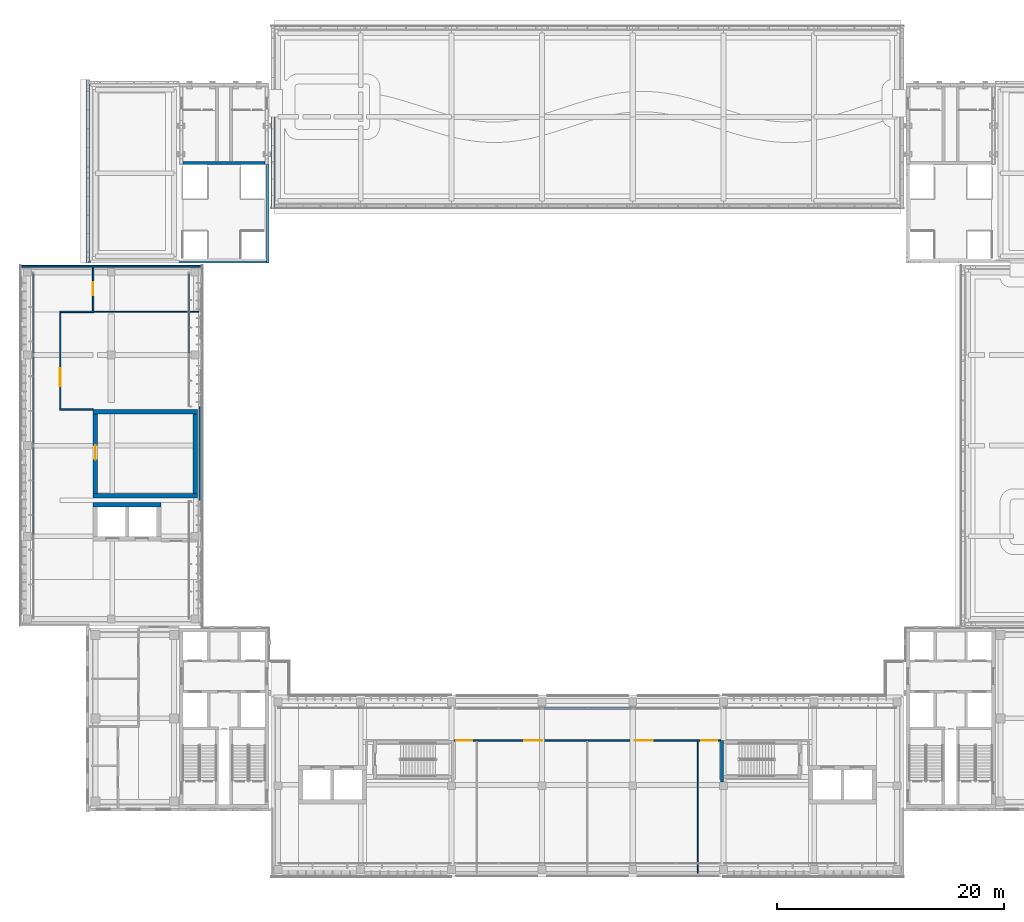
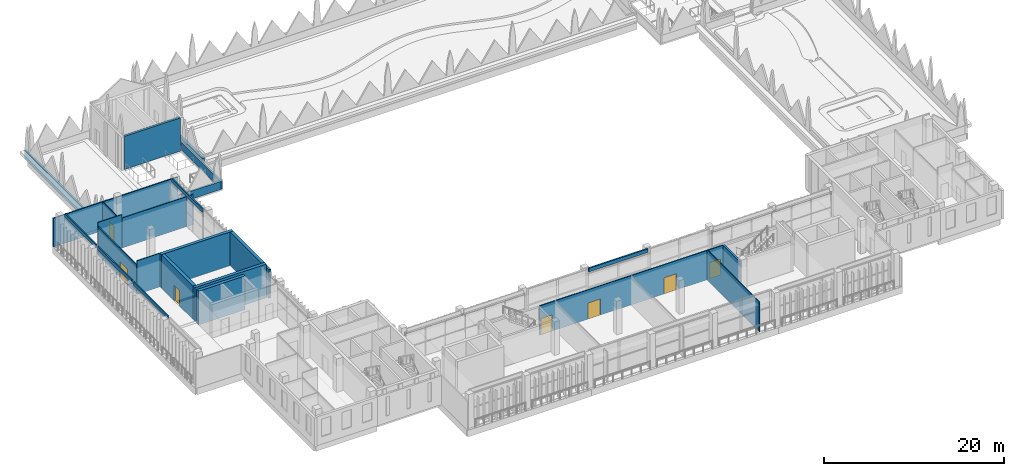
# One storey, part 24 of 46: 26 walls, 7 doors, 7 openings.
"""IFC4 building model written with IfcOpenShell, lengths in metres."""

from ifc_helpers import new_model, si_unit, direction, frame, frame_2d, origin, place, context, subcontext, project, spatial, rectangle, extrude, material, layer, layer_set, type_object, element, fill, save


model = new_model("IFC4")

# Units and contexts
model_context = context("Model", 3, precision=1e-05, world=origin(), true_north=direction((0.0, 1.0)))
body_context = subcontext(model_context, "Body", "Model", "MODEL_VIEW")
ifc_project = project(units=[si_unit("LENGTHUNIT", "METRE"), si_unit("AREAUNIT", "SQUARE_METRE"), si_unit("VOLUMEUNIT", "CUBIC_METRE"), si_unit("PLANEANGLEUNIT", "RADIAN"), si_unit("MASSUNIT", "GRAM", prefix="KILO")], contexts=[model_context])

# Site, building, storey
site_placement = place(None, origin())
site = spatial("IfcSite", under=ifc_project, at=site_placement, CompositionType="ELEMENT")
building_placement = place(site_placement, origin())
building = spatial("IfcBuilding", under=site, at=building_placement, Name="Lantern Court Media Centre", CompositionType="ELEMENT")
storey_placement = place(building_placement, frame((0.0, 0.0, 28.800048828125)))
storey = spatial("IfcBuildingStorey", under=building, at=storey_placement, Name="L06", CompositionType="ELEMENT", Elevation=28.800048828125)

# Wall, openings, doors
ifc_material_1 = material(Name="Gypsum board partition")
ifc_layer_1 = layer(ifc_material_1, 0.125)
ifc_layer_set_1 = layer_set([ifc_layer_1], Name="Gypsum board partition")
wall_type_1 = type_object("IfcWallType", Name="Corridor partition 125", PredefinedType="PARTITIONING", material=ifc_layer_set_1)
wall_1_placement = place(storey_placement, frame((40.25, 54.0, 0.0), z_axis=(0.0, 0.0, 1.0), x_axis=(1.0, 0.0, 0.0)))
wall_1 = element("IfcWall", 1, at=wall_1_placement, inside=storey, type_object=wall_type_1, Name="L06 partition 004", PredefinedType="PARTITIONING", context=body_context, shape_type="SweptSolid", body=[
    extrude(rectangle(XDim=23.5, YDim=0.125, at=frame_2d((11.75, 0.0))), origin(), (0.0, 0.0, 1.0), 3.97998046875),
])
opening_1_placement = place(wall_1_placement, frame((0.199951171875, 0.0, 0.0)))
opening_1 = element("IfcOpeningElement", 2, at=opening_1_placement, cuts=wall_1, Name="Opening L06-001", PredefinedType="OPENING", context=body_context, shape_type="SweptSolid", body=[
    extrude(rectangle(XDim=1.39990234375, YDim=2.199951171875, at=frame_2d((0.699951171875, 1.10009765625))), frame((0.0, 0.072509765625, 0.0), z_axis=(0.0, -1.0, 0.0), x_axis=(1.0, 0.0, 0.0)), (0.0, 0.0, 1.0), 0.14501953125),
])
opening_2_placement = place(wall_1_placement, frame((6.178955078125, 0.0, 0.0)))
opening_2 = element("IfcOpeningElement", 3, at=opening_2_placement, cuts=wall_1, Name="Opening L06-002", PredefinedType="OPENING", context=body_context, shape_type="SweptSolid", body=[
    extrude(rectangle(XDim=1.60009765625, YDim=2.199951171875, at=frame_2d((0.800048828125, 1.10009765625))), frame((0.0, 0.072509765625, 0.0), z_axis=(0.0, -1.0, 0.0), x_axis=(1.0, 0.0, 0.0)), (0.0, 0.0, 1.0), 0.14501953125),
])
opening_3_placement = place(wall_1_placement, frame((15.928955078125, 0.0, 0.0)))
opening_3 = element("IfcOpeningElement", 4, at=opening_3_placement, cuts=wall_1, Name="Opening L06-003", PredefinedType="OPENING", context=body_context, shape_type="SweptSolid", body=[
    extrude(rectangle(XDim=1.60009765625, YDim=2.199951171875, at=frame_2d((0.800048828125, 1.10009765625))), frame((0.0, 0.072509765625, 0.0), z_axis=(0.0, -1.0, 0.0), x_axis=(1.0, 0.0, 0.0)), (0.0, 0.0, 1.0), 0.14501953125),
])
opening_4_placement = place(wall_1_placement, frame((21.80908203125, 0.0, 0.0)))
opening_4 = element("IfcOpeningElement", 5, at=opening_4_placement, cuts=wall_1, Name="Opening L06-004", PredefinedType="OPENING", context=body_context, shape_type="SweptSolid", body=[
    extrude(rectangle(XDim=1.39990234375, YDim=2.199951171875, at=frame_2d((0.699951171875, 1.10009765625))), frame((0.0, 0.072509765625, 0.0), z_axis=(0.0, -1.0, 0.0), x_axis=(1.0, 0.0, 0.0)), (0.0, 0.0, 1.0), 0.14501953125),
])
ifc_material_2 = material(Name="Solid-core timber door leaf", Category="wood")
door_type_1 = type_object("IfcDoorType", Name="Double door 1400x2200", OperationType="NOTDEFINED", PredefinedType="DOOR", material=ifc_material_2)
door_1_placement = place(opening_1_placement, frame((1.39990234375, 0.0, 0.0), z_axis=(0.0, 0.0, 1.0), x_axis=(-1.0, 0.0, 0.0)))
door_1 = element("IfcDoor", 6, at=door_1_placement, inside=storey, type_object=door_type_1, Name="L06 Restaurant door", OperationType="DOUBLE_DOOR_SINGLE_SWING", OverallHeight=2.199951171875, OverallWidth=1.39990234375, PredefinedType="DOOR", context=body_context, shape_type="SweptSolid", body=[
    extrude(rectangle(XDim=1.39990234375, YDim=2.199951171875, at=frame_2d((0.699951171875, 1.10009765625))), frame((0.0, 0.02490234375, 0.0), z_axis=(0.0, -1.0, 0.0), x_axis=(1.0, 0.0, 0.0)), (0.0, 0.0, 1.0), 0.050048828125),
])
fill(opening_1, door_1)
door_2_placement = place(opening_4_placement, frame((1.39990234375, 0.0, 0.0), z_axis=(0.0, 0.0, 1.0), x_axis=(-1.0, 0.0, 0.0)))
door_2 = element("IfcDoor", 7, at=door_2_placement, inside=storey, type_object=door_type_1, Name="L06 Conservation Studio door", OperationType="DOUBLE_DOOR_SINGLE_SWING", OverallHeight=2.199951171875, OverallWidth=1.39990234375, PredefinedType="DOOR", context=body_context, shape_type="SweptSolid", body=[
    extrude(rectangle(XDim=1.39990234375, YDim=2.199951171875, at=frame_2d((0.699951171875, 1.10009765625))), frame((0.0, 0.02490234375, 0.0), z_axis=(0.0, -1.0, 0.0), x_axis=(1.0, 0.0, 0.0)), (0.0, 0.0, 1.0), 0.050048828125),
])
fill(opening_4, door_2)
door_type_2 = type_object("IfcDoorType", Name="Double door 1600x2200", OperationType="NOTDEFINED", PredefinedType="DOOR", material=ifc_material_2)
door_3_placement = place(opening_2_placement, origin())
door_3 = element("IfcDoor", 8, at=door_3_placement, inside=storey, type_object=door_type_2, Name="L06 Community Hall door", OperationType="DOUBLE_DOOR_SINGLE_SWING", OverallHeight=2.199951171875, OverallWidth=1.60009765625, PredefinedType="DOOR", context=body_context, shape_type="SweptSolid", body=[
    extrude(rectangle(XDim=1.60009765625, YDim=2.199951171875, at=frame_2d((0.800048828125, 1.10009765625))), frame((0.0, 0.02490234375, 0.0), z_axis=(0.0, -1.0, 0.0), x_axis=(1.0, 0.0, 0.0)), (0.0, 0.0, 1.0), 0.050048828125),
])
fill(opening_2, door_3)
door_4_placement = place(opening_3_placement, origin())
door_4 = element("IfcDoor", 9, at=door_4_placement, inside=storey, type_object=door_type_2, Name="L06 Library Administration Office door", OperationType="DOUBLE_DOOR_SINGLE_SWING", OverallHeight=2.199951171875, OverallWidth=1.60009765625, PredefinedType="DOOR", context=body_context, shape_type="SweptSolid", body=[
    extrude(rectangle(XDim=1.60009765625, YDim=2.199951171875, at=frame_2d((0.800048828125, 1.10009765625))), frame((0.0, 0.02490234375, 0.0), z_axis=(0.0, -1.0, 0.0), x_axis=(1.0, 0.0, 0.0)), (0.0, 0.0, 1.0), 0.050048828125),
])
fill(opening_3, door_4)

# Wall
wall_2_placement = place(storey_placement, frame((5.4375, 91.800048828125, 0.0), z_axis=(0.0, 0.0, 1.0), x_axis=(1.0, 0.0, 0.0)))
element("IfcWall", 10, at=wall_2_placement, inside=storey, type_object=wall_type_1, Name="L06 partition 009", PredefinedType="PARTITIONING", context=body_context, shape_type="SweptSolid", body=[
    extrude(rectangle(XDim=3.02490234375, YDim=0.125, at=frame_2d((1.512451171875, 0.0))), origin(), (0.0, 0.0, 1.0), 4.56005859375),
])

# Wall, opening, door
wall_3_placement = place(storey_placement, frame((8.39990234375, 91.862548828125, 0.0), z_axis=(0.0, 0.0, 1.0), x_axis=(0.0, 1.0, 0.0)))
wall_3 = element("IfcWall", 11, at=wall_3_placement, inside=storey, type_object=wall_type_1, Name="L06 partition 012", PredefinedType="PARTITIONING", context=body_context, shape_type="SweptSolid", body=[
    extrude(rectangle(XDim=3.892333984375, YDim=0.125, at=frame_2d((1.9462890625, 0.0))), origin(), (0.0, 0.0, 1.0), 3.8798828125),
])
opening_5_placement = place(wall_3_placement, frame((1.41259765625, 0.0, 0.0)))
opening_5 = element("IfcOpeningElement", 12, at=opening_5_placement, cuts=wall_3, Name="Opening L06-005", PredefinedType="OPENING", context=body_context, shape_type="SweptSolid", body=[
    extrude(rectangle(XDim=1.14990234375, YDim=2.10009765625, at=frame_2d((0.574951171875, 1.050048828125))), frame((0.0, 0.072509765625, 0.0), z_axis=(0.0, -1.0, 0.0), x_axis=(1.0, 0.0, 0.0)), (0.0, 0.0, 1.0), 0.14501953125),
])
door_type_3 = type_object("IfcDoorType", Name="Single door 1150x2100", OperationType="NOTDEFINED", PredefinedType="DOOR", material=ifc_material_2)
door_5_placement = place(opening_5_placement, frame((1.14990234375, 0.0, 0.0), z_axis=(0.0, 0.0, 1.0), x_axis=(-1.0, 0.0, 0.0)))
door_5 = element("IfcDoor", 13, at=door_5_placement, inside=storey, type_object=door_type_3, Name="L06 Cinema Club Bar door", OperationType="SINGLE_SWING_RIGHT", OverallHeight=2.10009765625, OverallWidth=1.14990234375, PredefinedType="DOOR", context=body_context, shape_type="SweptSolid", body=[
    extrude(rectangle(XDim=1.14990234375, YDim=2.10009765625, at=frame_2d((0.574951171875, 1.050048828125))), frame((0.0, 0.02490234375, 0.0), z_axis=(0.0, -1.0, 0.0), x_axis=(1.0, 0.0, 0.0)), (0.0, 0.0, 1.0), 0.050048828125),
])
fill(opening_5, door_5)

wall_4_placement = place(storey_placement, frame((5.5, 83.262451171875, 0.0), z_axis=(0.0, 0.0, 1.0), x_axis=(0.0, 1.0, 0.0)))
wall_4 = element("IfcWall", 14, at=wall_4_placement, inside=storey, type_object=wall_type_1, Name="L06 partition 015", PredefinedType="PARTITIONING", context=body_context, shape_type="SweptSolid", body=[
    extrude(rectangle(XDim=8.47509765625, YDim=0.125, at=frame_2d((4.237548828125, 0.0))), origin(), (0.0, 0.0, 1.0), 3.97998046875),
])
opening_6_placement = place(wall_4_placement, frame((1.987548828125, 0.0, 0.0)))
opening_6 = element("IfcOpeningElement", 15, at=opening_6_placement, cuts=wall_4, Name="Opening L06-008", PredefinedType="OPENING", context=body_context, shape_type="SweptSolid", body=[
    extrude(rectangle(XDim=1.60009765625, YDim=2.199951171875, at=frame_2d((0.800048828125, 1.10009765625))), frame((0.0, 0.072509765625, 0.0), z_axis=(0.0, -1.0, 0.0), x_axis=(1.0, 0.0, 0.0)), (0.0, 0.0, 1.0), 0.14501953125),
])
door_6_placement = place(opening_6_placement, origin())
door_6 = element("IfcDoor", 16, at=door_6_placement, inside=storey, type_object=door_type_2, Name="L06 Premiere Lounge door", OperationType="DOUBLE_DOOR_SINGLE_SWING", OverallHeight=2.199951171875, OverallWidth=1.60009765625, PredefinedType="DOOR", context=body_context, shape_type="SweptSolid", body=[
    extrude(rectangle(XDim=1.60009765625, YDim=2.199951171875, at=frame_2d((0.800048828125, 1.10009765625))), frame((0.0, 0.02490234375, 0.0), z_axis=(0.0, -1.0, 0.0), x_axis=(1.0, 0.0, 0.0)), (0.0, 0.0, 1.0), 0.050048828125),
])
fill(opening_6, door_6)

# Walls
wall_5_placement = place(storey_placement, frame((5.4375, 83.199951171875, 0.0), z_axis=(0.0, 0.0, 1.0), x_axis=(1.0, 0.0, 0.0)))
element("IfcWall", 17, at=wall_5_placement, inside=storey, type_object=wall_type_1, Name="L06 partition 016", PredefinedType="PARTITIONING", context=body_context, shape_type="SweptSolid", body=[
    extrude(rectangle(XDim=2.96240234375, YDim=0.125, at=frame_2d((1.481201171875, 0.0))), origin(), (0.0, 0.0, 1.0), 4.56005859375),
])
ifc_material_3 = material(Name="Insulated rendered blockwork", Category="masonry")
ifc_layer_2 = layer(ifc_material_3, 0.14990234375)
ifc_layer_set_2 = layer_set([ifc_layer_2], Name="Insulated rendered blockwork")
wall_type_2 = type_object("IfcWallType", Name="Head infill wall 150", PredefinedType="SOLIDWALL", material=ifc_layer_set_2)
for number, where, z_axis, x_axis, name in (
    (18, (3.14990234375, 72.199951171875, 4.099853515625), (0.0, 0.0, 1.0), (0.0, 1.0, 0.0), "Head infill wall W outer L06"),
    (19, (3.14990234375, 80.199951171875, 4.099853515625), (0.0, 0.0, 1.0), (0.0, 1.0, 0.0), "Head infill wall W outer L06"),
):
    element("IfcWall", number, at=place(storey_placement, frame(where, z_axis=z_axis, x_axis=x_axis)), inside=storey, type_object=wall_type_2, Name=name, PredefinedType="SOLIDWALL", context=body_context, shape_type="SweptSolid", body=[
        extrude(rectangle(XDim=7.60009765625, YDim=0.14990234375, at=frame_2d((3.800048828125, 0.0))), origin(), (0.0, 0.0, 1.0), 0.47998046875),
    ])
for number, where, z_axis, x_axis, name in (
    (20, (3.14990234375, 88.199951171875, 4.099853515625), (0.0, 0.0, 1.0), (0.0, 1.0, 0.0), "Head infill wall W outer L06"),
    (21, (16.85009765625, 88.199951171875, 4.099853515625), (0.0, 0.0, 1.0), (0.0, 1.0, 0.0), "Head infill wall W inner L06"),
):
    element("IfcWall", number, at=place(storey_placement, frame(where, z_axis=z_axis, x_axis=x_axis)), inside=storey, type_object=wall_type_2, Name=name, PredefinedType="SOLIDWALL", context=body_context, shape_type="SweptSolid", body=[
        extrude(rectangle(XDim=6.900146484375, YDim=0.14990234375, at=frame_2d((3.4501953125, 0.0))), origin(), (0.0, 0.0, 1.0), 0.47998046875),
    ])
ifc_layer_3 = layer(ifc_material_3, 0.199951171875)
ifc_layer_set_3 = layer_set([ifc_layer_3], Name="Insulated rendered blockwork")
wall_type_3 = type_object("IfcWallType", Name="Head infill wall 200", PredefinedType="SOLIDWALL", material=ifc_layer_set_3)
wall_6_placement = place(storey_placement, frame((48.199951171875, 56.85009765625, 4.099853515625), z_axis=(0.0, 0.0, 1.0), x_axis=(1.0, 0.0, 0.0)))
element("IfcWall", 22, at=wall_6_placement, inside=storey, type_object=wall_type_3, Name="Head infill wall S hall", PredefinedType="SOLIDWALL", context=body_context, shape_type="SweptSolid", body=[
    extrude(rectangle(XDim=7.60009765625, YDim=0.199951171875, at=frame_2d((3.800048828125, 0.0))), origin(), (0.0, 0.0, 1.0), 0.47998046875),
])
ifc_material_4 = material(Name="Honed limestone cladding on blockwork", Category="masonry")
ifc_layer_4 = layer(ifc_material_4, 0.139892578125)
ifc_layer_set_4 = layer_set([ifc_layer_4], Name="Honed limestone cladding on blockwork")
wall_type_4 = type_object("IfcWallType", Name="Limestone closure wall 140", PredefinedType="SOLIDWALL", material=ifc_layer_set_4)
wall_7_placement = place(storey_placement, frame((2.0, 95.830078125, 0.0), z_axis=(0.0, 0.0, 1.0), x_axis=(1.0, 0.0, 0.0)))
element("IfcWall", 23, at=wall_7_placement, inside=storey, type_object=wall_type_4, Name="Limestone closure wall W-NW L06", PredefinedType="SOLIDWALL", context=body_context, shape_type="SweptSolid", body=[
    extrude(rectangle(XDim=16.0, YDim=0.139892578125, at=frame_2d((8.0, 0.0))), origin(), (0.0, 0.0, 1.0), 3.89990234375),
])
ifc_layer_5 = layer(ifc_material_4, 0.25)
ifc_layer_set_5 = layer_set([ifc_layer_5], Name="Honed limestone cladding on blockwork")
wall_type_5 = type_object("IfcWallType", Name="Limestone flank wall 250", PredefinedType="SOLIDWALL", material=ifc_layer_set_5)
wall_8_placement = place(storey_placement, frame((17.875, 75.14990234375, 0.0), z_axis=(0.0, 0.0, 1.0), x_axis=(0.0, 1.0, 0.0)))
element("IfcWall", 24, at=wall_8_placement, inside=storey, type_object=wall_type_5, Name="Limestone flank wall W inner L06", PredefinedType="SOLIDWALL", context=body_context, shape_type="SweptSolid", body=[
    extrude(rectangle(XDim=8.300048828125, YDim=0.25, at=frame_2d((4.14990234375, 0.0))), origin(), (0.0, 0.0, 1.0), 3.89990234375),
])
ifc_layer_6 = layer(ifc_material_4, 0.25)
ifc_layer_set_6 = layer_set([ifc_layer_6], Name="Honed limestone cladding on blockwork")
wall_type_6 = type_object("IfcWallType", Name="Limestone parapet wall 250", PredefinedType="PARAPET", material=ifc_layer_set_6)
wall_9_placement = place(storey_placement, frame((7.955078125, 96.10009765625, 0.0), z_axis=(0.0, 0.0, 1.0), x_axis=(0.0, 1.0, 0.0)))
element("IfcWall", 25, at=wall_9_placement, inside=storey, type_object=wall_type_6, Name="Limestone parapet NW W", PredefinedType="PARAPET", context=body_context, shape_type="SweptSolid", body=[
    extrude(rectangle(XDim=16.199951171875, YDim=0.25, at=frame_2d((8.10009765625, 0.0))), origin(), (0.0, 0.0, 1.0), 1.099853515625),
])
ifc_layer_7 = layer(ifc_material_1, 0.10009765625)
ifc_layer_set_7 = layer_set([ifc_layer_7], Name="Gypsum board partition")
wall_type_7 = type_object("IfcWallType", Name="Partition 100", PredefinedType="PARTITIONING", material=ifc_layer_set_7)
wall_10_placement = place(storey_placement, frame((61.75, 42.300048828125, 0.0), z_axis=(0.0, 0.0, 1.0), x_axis=(0.0, 1.0, 0.0)))
element("IfcWall", 26, at=wall_10_placement, inside=storey, type_object=wall_type_7, Name="L06 partition 008", PredefinedType="PARTITIONING", context=body_context, shape_type="SweptSolid", body=[
    extrude(rectangle(XDim=11.637451171875, YDim=0.10009765625, at=frame_2d((5.81884765625, 0.0))), origin(), (0.0, 0.0, 1.0), 4.079833984375),
])
wall_11_placement = place(storey_placement, frame((8.33740234375, 91.800048828125, 0.0), z_axis=(0.0, 0.0, 1.0), x_axis=(1.0, 0.0, 0.0)))
element("IfcWall", 27, at=wall_11_placement, inside=storey, type_object=wall_type_7, Name="L06 partition 010", PredefinedType="PARTITIONING", context=body_context, shape_type="SweptSolid", body=[
    extrude(rectangle(XDim=8.4326171875, YDim=0.10009765625, at=frame_2d((4.21630859375, 0.0))), origin(), (0.0, 0.0, 1.0), 4.079833984375),
])
wall_12_placement = place(storey_placement, frame((16.929931640625, 91.800048828125, 0.0), z_axis=(0.0, 0.0, 1.0), x_axis=(1.0, 0.0, 0.0)))
element("IfcWall", 28, at=wall_12_placement, inside=storey, type_object=wall_type_7, Name="L06 partition 011", PredefinedType="PARTITIONING", context=body_context, shape_type="SweptSolid", body=[
    extrude(rectangle(XDim=0.77001953125, YDim=0.10009765625, at=frame_2d((0.385009765625, 0.0))), origin(), (0.0, 0.0, 1.0), 4.079833984375),
])
ifc_material_5 = material(Name="Concrete C40", Category="concrete")
ifc_layer_8 = layer(ifc_material_5, 0.39990234375)
ifc_layer_set_8 = layer_set([ifc_layer_8], Name="Concrete C40")
wall_type_8 = type_object("IfcWallType", Name="RC SHEAR WALL 400", PredefinedType="SHEAR", material=ifc_layer_set_8)
wall_13_placement = place(storey_placement, frame((8.39990234375, 74.800048828125, 0.0), z_axis=(0.0, 0.0, 1.0), x_axis=(1.0, 0.0, 0.0)))
element("IfcWall", 29, at=wall_13_placement, inside=storey, type_object=wall_type_8, Name="WB-W-LC-L06-N", PredefinedType="SHEAR", context=body_context, shape_type="SweptSolid", body=[
    extrude(rectangle(XDim=6.0, YDim=0.39990234375, at=frame_2d((3.0, 0.0))), origin(), (0.0, 0.0, 1.0), 4.579833984375),
])
for number, where, z_axis, x_axis, name in (
    (30, (8.39990234375, 75.60009765625, 0.0), (0.0, 0.0, 1.0), (1.0, 0.0, 0.0), "WB-W-ARC-L06-S"),
    (31, (8.39990234375, 83.0, 0.0), (0.0, 0.0, 1.0), (1.0, 0.0, 0.0), "WB-W-ARC-L06-N"),
):
    element("IfcWall", number, at=place(storey_placement, frame(where, z_axis=z_axis, x_axis=x_axis)), inside=storey, type_object=wall_type_8, Name=name, PredefinedType="SHEAR", context=body_context, shape_type="SweptSolid", body=[
        extrude(rectangle(XDim=9.2001953125, YDim=0.39990234375, at=frame_2d((4.60009765625, 0.0))), origin(), (0.0, 0.0, 1.0), 4.579833984375),
    ])

# Wall, opening, door
wall_14_placement = place(storey_placement, frame((8.60009765625, 75.800048828125, 0.0), z_axis=(0.0, 0.0, 1.0), x_axis=(0.0, 1.0, 0.0)))
wall_14 = element("IfcWall", 32, at=wall_14_placement, inside=storey, type_object=wall_type_8, Name="WB-W-ARC-L06-W", PredefinedType="SHEAR", context=body_context, shape_type="SweptSolid", body=[
    extrude(rectangle(XDim=7.0, YDim=0.39990234375, at=frame_2d((3.5, 0.0))), origin(), (0.0, 0.0, 1.0), 4.579833984375),
])
opening_7_placement = place(wall_14_placement, frame((2.97412109375, 0.0, 0.0)))
opening_7 = element("IfcOpeningElement", 33, at=opening_7_placement, cuts=wall_14, Name="Opening L06-007", PredefinedType="OPENING", context=body_context, shape_type="SweptSolid", body=[
    extrude(rectangle(XDim=1.25, YDim=2.10009765625, at=frame_2d((0.625, 1.050048828125))), frame((0.0, 0.2099609375, 0.0), z_axis=(0.0, -1.0, 0.0), x_axis=(1.0, 0.0, 0.0)), (0.0, 0.0, 1.0), 0.419921875),
])
door_type_4 = type_object("IfcDoorType", Name="Stack room door 1250x2100", OperationType="NOTDEFINED", PredefinedType="DOOR", material=ifc_material_2)
door_7_placement = place(opening_7_placement, frame((1.25, 0.0, 0.0), z_axis=(0.0, 0.0, 1.0), x_axis=(-1.0, 0.0, 0.0)))
door_7 = element("IfcDoor", 34, at=door_7_placement, inside=storey, type_object=door_type_4, Name="L06 Film Archive door", OperationType="SINGLE_SWING_RIGHT", OverallHeight=2.10009765625, OverallWidth=1.25, PredefinedType="DOOR", context=body_context, shape_type="SweptSolid", body=[
    extrude(rectangle(XDim=1.25, YDim=2.10009765625, at=frame_2d((0.625, 1.050048828125))), frame((0.0, 0.02490234375, 0.0), z_axis=(0.0, -1.0, 0.0), x_axis=(1.0, 0.0, 0.0)), (0.0, 0.0, 1.0), 0.050048828125),
])
fill(opening_7, door_7)

# Walls
wall_15_placement = place(storey_placement, frame((17.39990234375, 75.800048828125, 0.0), z_axis=(0.0, 0.0, 1.0), x_axis=(0.0, 1.0, 0.0)))
element("IfcWall", 35, at=wall_15_placement, inside=storey, type_object=wall_type_8, Name="WB-W-ARC-L06-E", PredefinedType="SHEAR", context=body_context, shape_type="SweptSolid", body=[
    extrude(rectangle(XDim=7.0, YDim=0.39990234375, at=frame_2d((3.5, 0.0))), origin(), (0.0, 0.0, 1.0), 4.579833984375),
])
ifc_layer_9 = layer(ifc_material_5, 0.25)
ifc_layer_set_9 = layer_set([ifc_layer_9], Name="Concrete C40")
wall_type_9 = type_object("IfcWallType", Name="RC stair shaft wall 250", PredefinedType="SOLIDWALL", material=ifc_layer_set_9)
wall_16_placement = place(storey_placement, frame((16.35009765625, 104.925048828125, 0.0), z_axis=(0.0, 0.0, 1.0), x_axis=(1.0, 0.0, 0.0)))
element("IfcWall", 36, at=wall_16_placement, inside=storey, type_object=wall_type_9, Name="L06 NW SN", PredefinedType="SOLIDWALL", context=body_context, shape_type="SweptSolid", body=[
    extrude(rectangle(XDim=7.199951171875, YDim=0.25, at=frame_2d((3.60009765625, 0.0))), origin(), (0.0, 0.0, 1.0), 4.5),
])
wall_17_placement = place(storey_placement, frame((63.875, 50.35009765625, 0.0), z_axis=(0.0, 0.0, 1.0), x_axis=(0.0, 1.0, 0.0)))
element("IfcWall", 37, at=wall_17_placement, inside=storey, type_object=wall_type_9, Name="L06 V3-ST-E shaft wall W", PredefinedType="SOLIDWALL", context=body_context, shape_type="SweptSolid", body=[
    extrude(rectangle(XDim=3.64990234375, YDim=0.25, at=frame_2d((1.824951171875, 0.0))), origin(), (0.0, 0.0, 1.0), 3.97998046875),
])
ifc_layer_10 = layer(ifc_material_4, 0.199951171875)
ifc_layer_set_10 = layer_set([ifc_layer_10], Name="Honed limestone cladding on blockwork")
wall_type_10 = type_object("IfcWallType", Name="Roof parapet 200", PredefinedType="PARAPET", material=ifc_layer_set_10)
wall_18_placement = place(storey_placement, frame((23.800048828125, 96.10009765625, 0.0), z_axis=(0.0, 0.0, 1.0), x_axis=(0.0, 1.0, 0.0)))
element("IfcWall", 38, at=wall_18_placement, inside=storey, type_object=wall_type_10, Name="Roof parapet PP-NW", PredefinedType="PARAPET", context=body_context, shape_type="SweptSolid", body=[
    extrude(rectangle(XDim=8.699951171875, YDim=0.199951171875, at=frame_2d((4.35009765625, 0.0))), origin(), (0.0, 0.0, 1.0), 1.099853515625),
])
wall_19_placement = place(storey_placement, frame((8.0, 96.199951171875, 0.0), z_axis=(0.0, 0.0, 1.0), x_axis=(1.0, 0.0, 0.0)))
element("IfcWall", 39, at=wall_19_placement, inside=storey, type_object=wall_type_10, Name="Roof parapet PP-NW", PredefinedType="PARAPET", context=body_context, shape_type="SweptSolid", body=[
    extrude(rectangle(XDim=15.699951171875, YDim=0.199951171875, at=frame_2d((7.85009765625, 0.0))), origin(), (0.0, 0.0, 1.0), 1.099853515625),
])
ifc_layer_11 = layer(ifc_material_3, 0.300048828125)
ifc_layer_set_11 = layer_set([ifc_layer_11], Name="Insulated rendered blockwork")
wall_type_11 = type_object("IfcWallType", Name="Roof parapet 300", PredefinedType="PARAPET", material=ifc_layer_set_11)
wall_20_placement = place(storey_placement, frame((24.25, 101.0, 0.0), z_axis=(0.0, 0.0, 1.0), x_axis=(0.0, 1.0, 0.0)))
element("IfcWall", 40, at=wall_20_placement, inside=storey, type_object=wall_type_11, Name="Roof parapet PP-N", PredefinedType="PARAPET", context=body_context, shape_type="SweptSolid", body=[
    extrude(rectangle(XDim=8.0, YDim=0.300048828125, at=frame_2d((4.0, 0.0))), origin(), (0.0, 0.0, 1.0), 1.099853515625),
])

save(model, "model.ifc")
